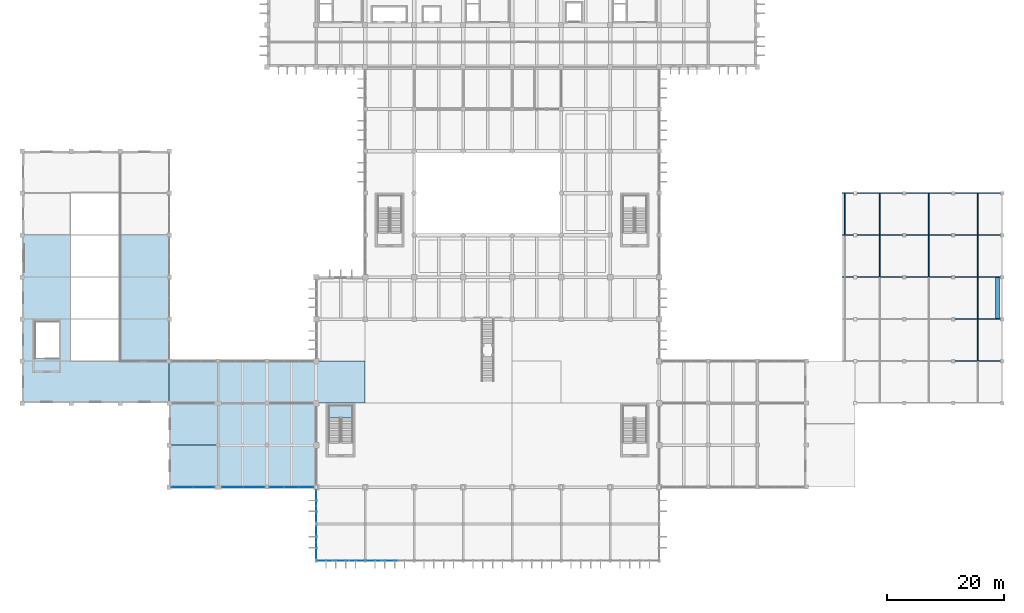
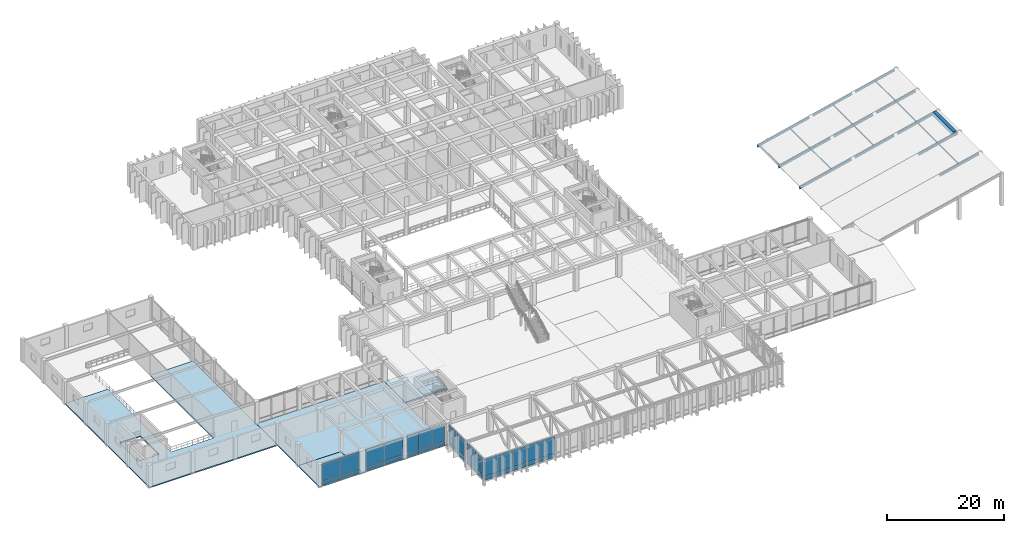
# One storey, part 26 of 51: 32 plates, 12 beams, 9 members, 5 slabs, 8 elements without a shape of their own.
"""IFC4 building model written with IfcOpenShell, lengths in metres."""

from ifc_helpers import new_model, si_unit, direction, frame, origin, origin_2d, place, context, subcontext, project, spatial, polyline, rectangle, i_section, outline, extrude, material, layer, layer_set, material_profile, profile_set, type_object, element, aggregate, save


model = new_model("IFC4")

# Units and contexts
model_context = context("Model", 3, precision=1e-05, world=origin(), true_north=direction((0.0, 1.0)))
body_context = subcontext(model_context, "Body", "Model", "MODEL_VIEW")
ifc_project = project(units=[si_unit("LENGTHUNIT", "METRE"), si_unit("AREAUNIT", "SQUARE_METRE"), si_unit("VOLUMEUNIT", "CUBIC_METRE"), si_unit("PLANEANGLEUNIT", "RADIAN"), si_unit("MASSUNIT", "GRAM", prefix="KILO")], contexts=[model_context])

# Site, building, storey
site_placement = place(None, origin())
site = spatial("IfcSite", under=ifc_project, at=site_placement, CompositionType="ELEMENT")
building_placement = place(site_placement, origin())
building = spatial("IfcBuilding", under=site, at=building_placement, Name="Kenerak Square Central Library", CompositionType="ELEMENT")
storey_placement = place(building_placement, frame((0.0, 0.0, 9.60009765625)))
storey = spatial("IfcBuildingStorey", under=building, at=storey_placement, Name="L02", CompositionType="ELEMENT", Elevation=9.60009765625)

# Beam
ifc_material_1 = material(Name="Concrete C45/55", Category="concrete")
ifc_material_profile_1 = material_profile(ifc_material_1, rectangle(XDim=0.64990234375, YDim=0.949951171875, at=origin_2d()), Name="RC 650x950")
ifc_profile_set_1 = profile_set([ifc_material_profile_1], Name="Concrete C45/55")
beam_type_1 = type_object("IfcBeamType", Name="Book Stack Girder B-02 RC 650x950 C45/55", PredefinedType="BEAM", material=ifc_profile_set_1)
beam_1_placement = place(storey_placement, frame((175.199951171875, 45.699951171875, 6.304931640625), z_axis=(0.0, 1.0, 0.0), x_axis=(-1.0, 0.0, 0.0)))
element("IfcBeam", 1, at=beam_1_placement, inside=storey, type_object=beam_type_1, Name="Pavilion Ridge Support Beam B-02", PredefinedType="BEAM", context=body_context, shape_type="SweptSolid", body=[
    extrude(rectangle(XDim=0.64990234375, YDim=0.949951171875, at=origin_2d()), origin(), (0.0, 0.0, 1.0), 7.0),
])

# Member
ifc_material_2 = material(Name="Steel S355", Category="steel")
ifc_material_profile_2 = material_profile(ifc_material_2, i_section(OverallWidth=0.10009765625, OverallDepth=0.199951171875, WebThickness=0.005615234375, FlangeThickness=0.008544921875, FilletRadius=0.011962890625, at=origin_2d()), Name="IPE 200")
ifc_profile_set_2 = profile_set([ifc_material_profile_2], Name="Steel S355")
member_type_1 = type_object("IfcMemberType", Name="Eave Steel Purlin PR-02 IPE 200 S355", PredefinedType="PURLIN", material=ifc_profile_set_2)
member_placement = place(storey_placement, frame((149.0, 60.0, 0.17626953125), z_axis=(0.0, 1.0, 0.0), x_axis=(-1.0, 0.0, 0.0)))
element("IfcMember", 2, at=member_placement, inside=storey, type_object=member_type_1, Name="Monsoon Eave Purlin PR-02 04", PredefinedType="PURLIN", context=body_context, shape_type="SweptSolid", body=[
    extrude(i_section(OverallWidth=0.10009765625, OverallDepth=0.199951171875, WebThickness=0.005615234375, FlangeThickness=0.008544921875, FilletRadius=0.011962890625, at=origin_2d()), origin(), (0.0, 0.0, 1.0), 7.199951171875),
])

# Beams
ifc_material_profile_3 = material_profile(ifc_material_2, i_section(OverallWidth=0.18994140625, OverallDepth=0.449951171875, WebThickness=0.009521484375, FlangeThickness=0.0146484375, FilletRadius=0.02099609375, at=origin_2d()), Name="IPE 450")
ifc_profile_set_3 = profile_set([ifc_material_profile_3], Name="Steel S355")
beam_type_2 = type_object("IfcBeamType", Name="Pavilion Roof Rafter SB-08 IPE 450 S355", PredefinedType="BEAM", material=ifc_profile_set_3)
for number, where, z_axis, x_axis, name in (
    (3, (167.89990234375, 38.39990234375, 4.561279296875), (0.972805561276, 0.0, 0.231623271609), (0.0, 1.0, 0.0), "Pavilion Roof Rafter SB-08 2-3"),
    (4, (167.89990234375, 45.60009765625, 4.561279296875), (0.972805561276, 0.0, 0.231623271609), (0.0, 1.0, 0.0), "Pavilion Roof Rafter SB-08 3-3"),
):
    element("IfcBeam", number, at=place(storey_placement, frame(where, z_axis=z_axis, x_axis=x_axis)), inside=storey, type_object=beam_type_2, Name=name, PredefinedType="BEAM", context=body_context, shape_type="SweptSolid", body=[
        extrude(i_section(OverallWidth=0.18994140625, OverallDepth=0.449951171875, WebThickness=0.009521484375, FlangeThickness=0.0146484375, FilletRadius=0.02099609375, at=origin_2d()), origin(), (0.0, 0.0, 1.0), 8.01806640625),
    ])
beam_2_placement = place(storey_placement, frame((148.60009765625, 52.800048828125, -0.033935546875), z_axis=(0.972804977611, 0.0, 0.231625722957), x_axis=(0.0, 1.0, 0.0)))
element("IfcBeam", 5, at=beam_2_placement, inside=storey, type_object=beam_type_2, Name="Pavilion Roof Rafter SB-08 4-1", PredefinedType="BEAM", context=body_context, shape_type="SweptSolid", body=[
    extrude(i_section(OverallWidth=0.18994140625, OverallDepth=0.449951171875, WebThickness=0.009521484375, FlangeThickness=0.0146484375, FilletRadius=0.02099609375, at=origin_2d()), origin(), (0.0, 0.0, 1.0), 10.587646484375),
])
for number, where, z_axis, x_axis, name in (
    (6, (159.5, 52.800048828125, 2.561279296875), (0.972805561276, 0.0, 0.231623271609), (0.0, 1.0, 0.0), "Pavilion Roof Rafter SB-08 4-2"),
    (7, (167.89990234375, 52.800048828125, 4.561279296875), (0.972805561276, 0.0, 0.231623271609), (0.0, 1.0, 0.0), "Pavilion Roof Rafter SB-08 4-3"),
):
    element("IfcBeam", number, at=place(storey_placement, frame(where, z_axis=z_axis, x_axis=x_axis)), inside=storey, type_object=beam_type_2, Name=name, PredefinedType="BEAM", context=body_context, shape_type="SweptSolid", body=[
        extrude(i_section(OverallWidth=0.18994140625, OverallDepth=0.449951171875, WebThickness=0.009521484375, FlangeThickness=0.0146484375, FilletRadius=0.02099609375, at=origin_2d()), origin(), (0.0, 0.0, 1.0), 8.01806640625),
    ])
beam_3_placement = place(storey_placement, frame((148.60009765625, 60.0, -0.033935546875), z_axis=(0.972804977611, 0.0, 0.231625722957), x_axis=(0.0, 1.0, 0.0)))
element("IfcBeam", 8, at=beam_3_placement, inside=storey, type_object=beam_type_2, Name="Pavilion Roof Rafter SB-08 5-1", PredefinedType="BEAM", context=body_context, shape_type="SweptSolid", body=[
    extrude(i_section(OverallWidth=0.18994140625, OverallDepth=0.449951171875, WebThickness=0.009521484375, FlangeThickness=0.0146484375, FilletRadius=0.02099609375, at=origin_2d()), origin(), (0.0, 0.0, 1.0), 10.587646484375),
])
for number, where, z_axis, x_axis, name in (
    (9, (159.5, 60.0, 2.561279296875), (0.972805561276, 0.0, 0.231623271609), (0.0, 1.0, 0.0), "Pavilion Roof Rafter SB-08 5-2"),
    (10, (167.89990234375, 60.0, 4.561279296875), (0.972805561276, 0.0, 0.231623271609), (0.0, 1.0, 0.0), "Pavilion Roof Rafter SB-08 5-3"),
):
    element("IfcBeam", number, at=place(storey_placement, frame(where, z_axis=z_axis, x_axis=x_axis)), inside=storey, type_object=beam_type_2, Name=name, PredefinedType="BEAM", context=body_context, shape_type="SweptSolid", body=[
        extrude(i_section(OverallWidth=0.18994140625, OverallDepth=0.449951171875, WebThickness=0.009521484375, FlangeThickness=0.0146484375, FilletRadius=0.02099609375, at=origin_2d()), origin(), (0.0, 0.0, 1.0), 8.01806640625),
    ])
beam_4_placement = place(storey_placement, frame((148.60009765625, 67.199951171875, -0.033935546875), z_axis=(0.972804977611, 0.0, 0.231625722957), x_axis=(0.0, 1.0, 0.0)))
element("IfcBeam", 11, at=beam_4_placement, inside=storey, type_object=beam_type_2, Name="Pavilion Roof Rafter SB-08 6-1", PredefinedType="BEAM", context=body_context, shape_type="SweptSolid", body=[
    extrude(i_section(OverallWidth=0.18994140625, OverallDepth=0.449951171875, WebThickness=0.009521484375, FlangeThickness=0.0146484375, FilletRadius=0.02099609375, at=origin_2d()), origin(), (0.0, 0.0, 1.0), 10.587646484375),
])
for number, where, z_axis, x_axis, name in (
    (12, (159.5, 67.199951171875, 2.561279296875), (0.972805561276, 0.0, 0.231623271609), (0.0, 1.0, 0.0), "Pavilion Roof Rafter SB-08 6-2"),
    (13, (167.89990234375, 67.199951171875, 4.561279296875), (0.972805561276, 0.0, 0.231623271609), (0.0, 1.0, 0.0), "Pavilion Roof Rafter SB-08 6-3"),
):
    element("IfcBeam", number, at=place(storey_placement, frame(where, z_axis=z_axis, x_axis=x_axis)), inside=storey, type_object=beam_type_2, Name=name, PredefinedType="BEAM", context=body_context, shape_type="SweptSolid", body=[
        extrude(i_section(OverallWidth=0.18994140625, OverallDepth=0.449951171875, WebThickness=0.009521484375, FlangeThickness=0.0146484375, FilletRadius=0.02099609375, at=origin_2d()), origin(), (0.0, 0.0, 1.0), 8.01806640625),
    ])

# Members
ifc_material_profile_4 = material_profile(ifc_material_2, i_section(OverallWidth=0.1201171875, OverallDepth=0.239990234375, WebThickness=0.006103515625, FlangeThickness=0.009765625, FilletRadius=0.014892578125, at=origin_2d()), Name="IPE 240")
ifc_profile_set_4 = profile_set([ifc_material_profile_4], Name="Steel S355")
member_type_2 = type_object("IfcMemberType", Name="Roof Steel Purlin PR-01 IPE 240 S355", PredefinedType="PURLIN", material=ifc_profile_set_4)
for number, where, z_axis, x_axis, name in (
    (14, (171.800048828125, 38.449951171875, 5.56982421875), (0.0, 1.0, 0.0), (-1.0, 0.0, 0.0), "Pavilion Roof Purlin PR-01 0219"),
    (15, (171.800048828125, 45.64990234375, 5.56982421875), (0.0, 1.0, 0.0), (-1.0, 0.0, 0.0), "Pavilion Roof Purlin PR-01 0222"),
):
    element("IfcMember", number, at=place(storey_placement, frame(where, z_axis=z_axis, x_axis=x_axis)), inside=storey, type_object=member_type_2, Name=name, PredefinedType="PURLIN", context=body_context, shape_type="SweptSolid", body=[
        extrude(i_section(OverallWidth=0.1201171875, OverallDepth=0.239990234375, WebThickness=0.006103515625, FlangeThickness=0.009765625, FilletRadius=0.014892578125, at=origin_2d()), origin(), (0.0, 0.0, 1.0), 7.10009765625),
    ])
for number, where, z_axis, x_axis, name in (
    (16, (155.0, 52.85009765625, 1.56982421875), (0.0, 1.0, 0.0), (-1.0, 0.0, 0.0), "Pavilion Roof Purlin PR-01 0223"),
    (17, (163.39990234375, 52.85009765625, 3.56982421875), (0.0, 1.0, 0.0), (-1.0, 0.0, 0.0), "Pavilion Roof Purlin PR-01 0224"),
    (18, (171.800048828125, 52.85009765625, 5.56982421875), (0.0, 1.0, 0.0), (-1.0, 0.0, 0.0), "Pavilion Roof Purlin PR-01 0225"),
    (19, (155.0, 60.050048828125, 1.56982421875), (0.0, 1.0, 0.0), (-1.0, 0.0, 0.0), "Pavilion Roof Purlin PR-01 0226"),
    (20, (163.39990234375, 60.050048828125, 3.56982421875), (0.0, 1.0, 0.0), (-1.0, 0.0, 0.0), "Pavilion Roof Purlin PR-01 0227"),
    (21, (171.800048828125, 60.050048828125, 5.56982421875), (0.0, 1.0, 0.0), (-1.0, 0.0, 0.0), "Pavilion Roof Purlin PR-01 0228"),
):
    element("IfcMember", number, at=place(storey_placement, frame(where, z_axis=z_axis, x_axis=x_axis)), inside=storey, type_object=member_type_2, Name=name, PredefinedType="PURLIN", context=body_context, shape_type="SweptSolid", body=[
        extrude(i_section(OverallWidth=0.1201171875, OverallDepth=0.239990234375, WebThickness=0.006103515625, FlangeThickness=0.009765625, FilletRadius=0.014892578125, at=origin_2d()), origin(), (0.0, 0.0, 1.0), 7.099853515625),
    ])

# Slabs
ifc_material_3 = material(Name="Concrete C40/50", Category="concrete")
ifc_layer_1 = layer(ifc_material_3, 0.25)
ifc_layer_set_1 = layer_set([ifc_layer_1], Name="Concrete C40/50")
slab_type_1 = type_object("IfcSlabType", Name="Auditorium and Foyer Concourse Slab FS-250 C40/50", PredefinedType="FLOOR", material=ifc_layer_set_1)
slab_1_placement = place(storey_placement, frame((0.0, 0.0, -0.25)))
element("IfcSlab", 22, at=slab_1_placement, inside=storey, type_object=slab_type_1, Name="V3 Floor Slab L02 034", PredefinedType="FLOOR", context=body_context, shape_type="SweptSolid", body=[
    extrude(outline(polyline([(8.0, 60.0), (16.39990234375, 60.0), (16.39990234375, 38.39990234375), (24.800048828125, 38.39990234375), (24.800048828125, 60.0), (33.199951171875, 60.0), (33.199951171875, 31.199951171875), (8.0, 31.199951171875), (8.0, 60.0)]), holes=[polyline([(14.280029296875, 38.85009765625), (14.280029296875, 45.199951171875), (10.1201171875, 45.199951171875), (10.1201171875, 38.85009765625), (14.280029296875, 38.85009765625)])]), origin(), (0.0, 0.0, 1.0), 0.25),
])
ifc_layer_2 = layer(ifc_material_3, 0.300048828125)
ifc_layer_set_2 = layer_set([ifc_layer_2], Name="Concrete C40/50")
slab_type_2 = type_object("IfcSlabType", Name="Compact-Shelving Vault Slab FS-300 C40/50", PredefinedType="FLOOR", material=ifc_layer_set_2)
slab_2_placement = place(storey_placement, frame((0.0, 0.0, -0.300048828125)))
element("IfcSlab", 23, at=slab_2_placement, inside=storey, type_object=slab_type_2, Name="V1 Floor Slab L02 015", PredefinedType="FLOOR", context=body_context, shape_type="SweptSolid", body=[
    extrude(outline(polyline([(66.800048828125, 31.199951171875), (66.800048828125, 38.39990234375), (58.39990234375, 38.39990234375), (58.39990234375, 31.199951171875), (66.800048828125, 31.199951171875)])), origin(), (0.0, 0.0, 1.0), 0.300048828125),
])
ifc_layer_3 = layer(ifc_material_3, 0.22509765625)
ifc_layer_set_3 = layer_set([ifc_layer_3], Name="Concrete C40/50")
slab_type_3 = type_object("IfcSlabType", Name="General Reading Room Slab FS-225 C40/50", PredefinedType="FLOOR", material=ifc_layer_set_3)
slab_3_placement = place(storey_placement, frame((0.0, 0.0, -0.22509765625)))
element("IfcSlab", 24, at=slab_3_placement, inside=storey, type_object=slab_type_3, Name="V6 Floor Slab L02 105", PredefinedType="FLOOR", context=body_context, shape_type="SweptSolid", body=[
    extrude(outline(polyline([(33.199951171875, 38.39990234375), (58.39990234375, 38.39990234375), (58.39990234375, 16.800048828125), (41.60009765625, 16.800048828125), (41.60009765625, 24.0), (33.199951171875, 24.0), (33.199951171875, 38.39990234375)])), origin(), (0.0, 0.0, 1.0), 0.22509765625),
])
slab_4_placement = place(storey_placement, frame((0.0, 0.0, -0.22509765625)))
element("IfcSlab", 25, at=slab_4_placement, inside=storey, type_object=slab_type_3, Name="V6 Floor Slab L02 106", PredefinedType="FLOOR", context=body_context, shape_type="SweptSolid", body=[
    extrude(outline(polyline([(41.60009765625, 16.800048828125), (41.60009765625, 24.0), (33.199951171875, 24.0), (33.199951171875, 16.800048828125), (41.60009765625, 16.800048828125)])), origin(), (0.0, 0.0, 1.0), 0.22509765625),
])

# Curtain wall, plates
ifc_material_4 = material(Name="Anodised aluminium and solar-control low-E glazing", Category="aluminium")
curtain_wall_type_1 = type_object("IfcCurtainWallType", Name="Curtain Wall CW-V6-76x45 7600x4550", PredefinedType="USERDEFINED", material=ifc_material_4)
curtain_wall_1_placement = place(storey_placement, origin())
curtain_wall_1 = element("IfcCurtainWall", 26, at=curtain_wall_1_placement, inside=storey, type_object=curtain_wall_type_1, Name="Curtain Wall CW-V6-76x45 L02 0106", ObjectType="CURTAIN WALL", PredefinedType="USERDEFINED")
ifc_material_5 = material(Name="Solar-control low-E laminated double glazing", Category="glass")
ifc_layer_4 = layer(ifc_material_5, 0.02392578125)
ifc_layer_set_4 = layer_set([ifc_layer_4], Name="Solar-control low-E laminated double glazing")
plate_type_1 = type_object("IfcPlateType", Name="Low-E Double Glazed Curtain Panel CP-24", PredefinedType="CURTAIN_PANEL", material=ifc_layer_set_4)
plate_1_placement = place(storey_placement, frame((56.6669921875, 16.800048828125, 0.06494140625), z_axis=(0.0, 0.0, 1.0), x_axis=(-1.0, 0.0, 0.0)))
plate_1 = element("IfcPlate", 27, at=plate_1_placement, type_object=plate_type_1, Name="CW-V6-76x45 Panel 1.1", PredefinedType="CURTAIN_PANEL", context=body_context, shape_type="SweptSolid", body=[
    extrude(rectangle(XDim=2.435791015625, YDim=0.02392578125, at=origin_2d()), origin(), (0.0, 0.0, 1.0), 0.802490234375),
])
plate_2_placement = place(storey_placement, frame((56.6669921875, 16.800048828125, 0.9326171875), z_axis=(0.0, 0.0, 1.0), x_axis=(-1.0, 0.0, 0.0)))
plate_2 = element("IfcPlate", 28, at=plate_2_placement, type_object=plate_type_1, Name="CW-V6-76x45 Panel 1.2", PredefinedType="CURTAIN_PANEL", context=body_context, shape_type="SweptSolid", body=[
    extrude(rectangle(XDim=2.435791015625, YDim=0.02392578125, at=origin_2d()), origin(), (0.0, 0.0, 1.0), 3.552490234375),
])
plate_3_placement = place(storey_placement, frame((54.14990234375, 16.800048828125, 0.06494140625), z_axis=(0.0, 0.0, 1.0), x_axis=(-1.0, 0.0, 0.0)))
plate_3 = element("IfcPlate", 29, at=plate_3_placement, type_object=plate_type_1, Name="CW-V6-76x45 Panel 2.1", PredefinedType="CURTAIN_PANEL", context=body_context, shape_type="SweptSolid", body=[
    extrude(rectangle(XDim=2.46826171875, YDim=0.02392578125, at=origin_2d()), origin(), (0.0, 0.0, 1.0), 0.802490234375),
])
plate_4_placement = place(storey_placement, frame((54.14990234375, 16.800048828125, 0.9326171875), z_axis=(0.0, 0.0, 1.0), x_axis=(-1.0, 0.0, 0.0)))
plate_4 = element("IfcPlate", 30, at=plate_4_placement, type_object=plate_type_1, Name="CW-V6-76x45 Panel 2.2", PredefinedType="CURTAIN_PANEL", context=body_context, shape_type="SweptSolid", body=[
    extrude(rectangle(XDim=2.46826171875, YDim=0.02392578125, at=origin_2d()), origin(), (0.0, 0.0, 1.0), 3.552490234375),
])
plate_5_placement = place(storey_placement, frame((51.6328125, 16.800048828125, 0.06494140625), z_axis=(0.0, 0.0, 1.0), x_axis=(-1.0, 0.0, 0.0)))
plate_5 = element("IfcPlate", 31, at=plate_5_placement, type_object=plate_type_1, Name="CW-V6-76x45 Panel 3.1", PredefinedType="CURTAIN_PANEL", context=body_context, shape_type="SweptSolid", body=[
    extrude(rectangle(XDim=2.435791015625, YDim=0.02392578125, at=origin_2d()), origin(), (0.0, 0.0, 1.0), 0.802490234375),
])
plate_6_placement = place(storey_placement, frame((51.6328125, 16.800048828125, 0.9326171875), z_axis=(0.0, 0.0, 1.0), x_axis=(-1.0, 0.0, 0.0)))
plate_6 = element("IfcPlate", 32, at=plate_6_placement, type_object=plate_type_1, Name="CW-V6-76x45 Panel 3.2", PredefinedType="CURTAIN_PANEL", context=body_context, shape_type="SweptSolid", body=[
    extrude(rectangle(XDim=2.435791015625, YDim=0.02392578125, at=origin_2d()), origin(), (0.0, 0.0, 1.0), 3.552490234375),
])
aggregate(curtain_wall_1, [plate_1, plate_2, plate_3, plate_4, plate_5, plate_6])

curtain_wall_type_2 = type_object("IfcCurtainWallType", Name="Curtain Wall CW-V6-74x45 7450x4550", PredefinedType="USERDEFINED", material=ifc_material_4)
curtain_wall_2_placement = place(storey_placement, origin())
curtain_wall_2 = element("IfcCurtainWall", 33, at=curtain_wall_2_placement, inside=storey, type_object=curtain_wall_type_2, Name="Curtain Wall CW-V6-74x45 L02 0107", ObjectType="CURTAIN WALL", PredefinedType="USERDEFINED")
plate_7_placement = place(storey_placement, frame((47.771240234375, 16.800048828125, 0.06494140625), z_axis=(0.0, 0.0, 1.0), x_axis=(-1.0, 0.0, 0.0)))
plate_7 = element("IfcPlate", 34, at=plate_7_placement, type_object=plate_type_1, Name="CW-V6-74x45 Panel 1.1", PredefinedType="CURTAIN_PANEL", context=body_context, shape_type="SweptSolid", body=[
    extrude(rectangle(XDim=3.62744140625, YDim=0.02392578125, at=origin_2d()), origin(), (0.0, 0.0, 1.0), 0.802490234375),
])
plate_8_placement = place(storey_placement, frame((47.771240234375, 16.800048828125, 0.9326171875), z_axis=(0.0, 0.0, 1.0), x_axis=(-1.0, 0.0, 0.0)))
plate_8 = element("IfcPlate", 35, at=plate_8_placement, type_object=plate_type_1, Name="CW-V6-74x45 Panel 1.2", PredefinedType="CURTAIN_PANEL", context=body_context, shape_type="SweptSolid", body=[
    extrude(rectangle(XDim=3.62744140625, YDim=0.02392578125, at=origin_2d()), origin(), (0.0, 0.0, 1.0), 3.552490234375),
])
plate_9_placement = place(storey_placement, frame((44.078857421875, 16.800048828125, 0.06494140625), z_axis=(0.0, 0.0, 1.0), x_axis=(-1.0, 0.0, 0.0)))
plate_9 = element("IfcPlate", 36, at=plate_9_placement, type_object=plate_type_1, Name="CW-V6-74x45 Panel 2.1", PredefinedType="CURTAIN_PANEL", context=body_context, shape_type="SweptSolid", body=[
    extrude(rectangle(XDim=3.62744140625, YDim=0.02392578125, at=origin_2d()), origin(), (0.0, 0.0, 1.0), 0.802490234375),
])
plate_10_placement = place(storey_placement, frame((44.078857421875, 16.800048828125, 0.9326171875), z_axis=(0.0, 0.0, 1.0), x_axis=(-1.0, 0.0, 0.0)))
plate_10 = element("IfcPlate", 37, at=plate_10_placement, type_object=plate_type_1, Name="CW-V6-74x45 Panel 2.2", PredefinedType="CURTAIN_PANEL", context=body_context, shape_type="SweptSolid", body=[
    extrude(rectangle(XDim=3.62744140625, YDim=0.02392578125, at=origin_2d()), origin(), (0.0, 0.0, 1.0), 3.552490234375),
])
aggregate(curtain_wall_2, [plate_7, plate_8, plate_9, plate_10])

curtain_wall_type_3 = type_object("IfcCurtainWallType", Name="Curtain Wall CW-V6-74x45 7425x4550", PredefinedType="USERDEFINED", material=ifc_material_4)
curtain_wall_3_placement = place(storey_placement, origin())
curtain_wall_3 = element("IfcCurtainWall", 38, at=curtain_wall_3_placement, inside=storey, type_object=curtain_wall_type_3, Name="Curtain Wall CW-V6-74x45 L02 0108", ObjectType="CURTAIN WALL", PredefinedType="USERDEFINED")
plate_11_placement = place(storey_placement, frame((39.12744140625, 16.800048828125, 0.06494140625), z_axis=(0.0, 0.0, 1.0), x_axis=(-1.0, 0.0, 0.0)))
plate_11 = element("IfcPlate", 39, at=plate_11_placement, type_object=plate_type_1, Name="CW-V6-74x45 Panel 1.1", PredefinedType="CURTAIN_PANEL", context=body_context, shape_type="SweptSolid", body=[
    extrude(rectangle(XDim=3.614990234375, YDim=0.02392578125, at=origin_2d()), origin(), (0.0, 0.0, 1.0), 0.802490234375),
])
plate_12_placement = place(storey_placement, frame((39.12744140625, 16.800048828125, 0.9326171875), z_axis=(0.0, 0.0, 1.0), x_axis=(-1.0, 0.0, 0.0)))
plate_12 = element("IfcPlate", 40, at=plate_12_placement, type_object=plate_type_1, Name="CW-V6-74x45 Panel 1.2", PredefinedType="CURTAIN_PANEL", context=body_context, shape_type="SweptSolid", body=[
    extrude(rectangle(XDim=3.614990234375, YDim=0.02392578125, at=origin_2d()), origin(), (0.0, 0.0, 1.0), 3.552490234375),
])
plate_13_placement = place(storey_placement, frame((35.447509765625, 16.800048828125, 0.06494140625), z_axis=(0.0, 0.0, 1.0), x_axis=(-1.0, 0.0, 0.0)))
plate_13 = element("IfcPlate", 41, at=plate_13_placement, type_object=plate_type_1, Name="CW-V6-74x45 Panel 2.1", PredefinedType="CURTAIN_PANEL", context=body_context, shape_type="SweptSolid", body=[
    extrude(rectangle(XDim=3.614990234375, YDim=0.02392578125, at=origin_2d()), origin(), (0.0, 0.0, 1.0), 0.802490234375),
])
plate_14_placement = place(storey_placement, frame((35.447509765625, 16.800048828125, 0.9326171875), z_axis=(0.0, 0.0, 1.0), x_axis=(-1.0, 0.0, 0.0)))
plate_14 = element("IfcPlate", 42, at=plate_14_placement, type_object=plate_type_1, Name="CW-V6-74x45 Panel 2.2", PredefinedType="CURTAIN_PANEL", context=body_context, shape_type="SweptSolid", body=[
    extrude(rectangle(XDim=3.614990234375, YDim=0.02392578125, at=origin_2d()), origin(), (0.0, 0.0, 1.0), 3.552490234375),
])
aggregate(curtain_wall_3, [plate_11, plate_12, plate_13, plate_14])

# Stair, slab
stair_type = type_object("IfcStairType", Name="Exit Dogleg Stair ST-480 C40/50", PredefinedType="HALF_TURN_STAIR", material=ifc_material_3)
stair_placement = place(storey_placement, origin())
stair = element("IfcStair", 43, at=stair_placement, inside=storey, type_object=stair_type, Name="L02 Protected Exit Stair ST-04", PredefinedType="HALF_TURN_STAIR")
ifc_layer_5 = layer(ifc_material_3, 0.199951171875)
ifc_layer_set_5 = layer_set([ifc_layer_5], Name="Concrete C40/50")
slab_type_4 = type_object("IfcSlabType", Name="Stair Half-Landing Slab LD-200 C40/50", PredefinedType="LANDING", material=ifc_layer_set_5)
slab_5_placement = place(storey_placement, frame((0.0, 0.0, 2.199951171875)))
slab_5 = element("IfcSlab", 44, at=slab_5_placement, type_object=slab_type_4, Name="ST-04 Landing 1", PredefinedType="LANDING", context=body_context, shape_type="SweptSolid", body=[
    extrude(outline(polyline([(64.679931640625, 28.64990234375), (64.679931640625, 30.800048828125), (60.52001953125, 30.800048828125), (60.52001953125, 28.64990234375), (64.679931640625, 28.64990234375)])), origin(), (0.0, 0.0, 1.0), 0.199951171875),
])
aggregate(stair, [slab_5])

# Curtain wall, plates
curtain_wall_type_4 = type_object("IfcCurtainWallType", Name="Curtain Wall CW-V1-84x45 8400x4550", PredefinedType="USERDEFINED", material=ifc_material_4)
curtain_wall_4_placement = place(storey_placement, origin())
curtain_wall_4 = element("IfcCurtainWall", 45, at=curtain_wall_4_placement, inside=storey, type_object=curtain_wall_type_4, Name="Curtain Wall CW-V1-84x45 L02 0102", ObjectType="CURTAIN WALL", PredefinedType="USERDEFINED")
ifc_material_6 = material(Name="Triple-laminated solar-control low-E glazing", Category="glass")
ifc_layer_6 = layer(ifc_material_6, 0.031982421875)
ifc_layer_set_6 = layer_set([ifc_layer_6], Name="Triple-laminated solar-control low-E glazing")
plate_type_2 = type_object("IfcPlateType", Name="Triple-Laminated Reading Hall Panel CP-32", PredefinedType="CURTAIN_PANEL", material=ifc_layer_set_6)
plate_15_placement = place(storey_placement, frame((71.0, 4.199951171875, 0.074951171875), z_axis=(0.0, 0.0, 1.0), x_axis=(-1.0, 0.0, 0.0)))
plate_15 = element("IfcPlate", 46, at=plate_15_placement, type_object=plate_type_2, Name="CW-V1-84x45 Panel 2.1", PredefinedType="CURTAIN_PANEL", context=body_context, shape_type="SweptSolid", body=[
    extrude(rectangle(XDim=2.72509765625, YDim=0.031982421875, at=origin_2d()), origin(), (0.0, 0.0, 1.0), 0.78759765625),
])
plate_16_placement = place(storey_placement, frame((71.0, 4.199951171875, 0.937255859375), z_axis=(0.0, 0.0, 1.0), x_axis=(-1.0, 0.0, 0.0)))
plate_16 = element("IfcPlate", 47, at=plate_16_placement, type_object=plate_type_2, Name="CW-V1-84x45 Panel 2.2", PredefinedType="CURTAIN_PANEL", context=body_context, shape_type="SweptSolid", body=[
    extrude(rectangle(XDim=2.72509765625, YDim=0.031982421875, at=origin_2d()), origin(), (0.0, 0.0, 1.0), 3.53759765625),
])
plate_17_placement = place(storey_placement, frame((68.21875, 4.199951171875, 0.074951171875), z_axis=(0.0, 0.0, 1.0), x_axis=(-1.0, 0.0, 0.0)))
plate_17 = element("IfcPlate", 48, at=plate_17_placement, type_object=plate_type_2, Name="CW-V1-84x45 Panel 3.1", PredefinedType="CURTAIN_PANEL", context=body_context, shape_type="SweptSolid", body=[
    extrude(rectangle(XDim=2.6875, YDim=0.031982421875, at=origin_2d()), origin(), (0.0, 0.0, 1.0), 0.78759765625),
])
plate_18_placement = place(storey_placement, frame((68.21875, 4.199951171875, 0.937255859375), z_axis=(0.0, 0.0, 1.0), x_axis=(-1.0, 0.0, 0.0)))
plate_18 = element("IfcPlate", 49, at=plate_18_placement, type_object=plate_type_2, Name="CW-V1-84x45 Panel 3.2", PredefinedType="CURTAIN_PANEL", context=body_context, shape_type="SweptSolid", body=[
    extrude(rectangle(XDim=2.6875, YDim=0.031982421875, at=origin_2d()), origin(), (0.0, 0.0, 1.0), 3.53759765625),
])
aggregate(curtain_wall_4, [plate_15, plate_16, plate_17, plate_18])

curtain_wall_5_placement = place(storey_placement, origin())
curtain_wall_5 = element("IfcCurtainWall", 50, at=curtain_wall_5_placement, inside=storey, type_object=curtain_wall_type_4, Name="Curtain Wall CW-V1-84x45 L02 0103", ObjectType="CURTAIN WALL", PredefinedType="USERDEFINED")
plate_19_placement = place(storey_placement, frame((65.38134765625, 4.199951171875, 0.074951171875), z_axis=(0.0, 0.0, 1.0), x_axis=(-1.0, 0.0, 0.0)))
plate_19 = element("IfcPlate", 51, at=plate_19_placement, type_object=plate_type_2, Name="CW-V1-84x45 Panel 1.1", PredefinedType="CURTAIN_PANEL", context=body_context, shape_type="SweptSolid", body=[
    extrude(rectangle(XDim=2.6875, YDim=0.031982421875, at=origin_2d()), origin(), (0.0, 0.0, 1.0), 0.78759765625),
])
plate_20_placement = place(storey_placement, frame((65.38134765625, 4.199951171875, 0.937255859375), z_axis=(0.0, 0.0, 1.0), x_axis=(-1.0, 0.0, 0.0)))
plate_20 = element("IfcPlate", 52, at=plate_20_placement, type_object=plate_type_2, Name="CW-V1-84x45 Panel 1.2", PredefinedType="CURTAIN_PANEL", context=body_context, shape_type="SweptSolid", body=[
    extrude(rectangle(XDim=2.6875, YDim=0.031982421875, at=origin_2d()), origin(), (0.0, 0.0, 1.0), 3.53759765625),
])
plate_21_placement = place(storey_placement, frame((62.60009765625, 4.199951171875, 0.074951171875), z_axis=(0.0, 0.0, 1.0), x_axis=(-1.0, 0.0, 0.0)))
plate_21 = element("IfcPlate", 53, at=plate_21_placement, type_object=plate_type_2, Name="CW-V1-84x45 Panel 2.1", PredefinedType="CURTAIN_PANEL", context=body_context, shape_type="SweptSolid", body=[
    extrude(rectangle(XDim=2.72509765625, YDim=0.031982421875, at=origin_2d()), origin(), (0.0, 0.0, 1.0), 0.78759765625),
])
plate_22_placement = place(storey_placement, frame((62.60009765625, 4.199951171875, 0.937255859375), z_axis=(0.0, 0.0, 1.0), x_axis=(-1.0, 0.0, 0.0)))
plate_22 = element("IfcPlate", 54, at=plate_22_placement, type_object=plate_type_2, Name="CW-V1-84x45 Panel 2.2", PredefinedType="CURTAIN_PANEL", context=body_context, shape_type="SweptSolid", body=[
    extrude(rectangle(XDim=2.72509765625, YDim=0.031982421875, at=origin_2d()), origin(), (0.0, 0.0, 1.0), 3.53759765625),
])
plate_23_placement = place(storey_placement, frame((59.81884765625, 4.199951171875, 0.074951171875), z_axis=(0.0, 0.0, 1.0), x_axis=(-1.0, 0.0, 0.0)))
plate_23 = element("IfcPlate", 55, at=plate_23_placement, type_object=plate_type_2, Name="CW-V1-84x45 Panel 3.1", PredefinedType="CURTAIN_PANEL", context=body_context, shape_type="SweptSolid", body=[
    extrude(rectangle(XDim=2.6875, YDim=0.031982421875, at=origin_2d()), origin(), (0.0, 0.0, 1.0), 0.78759765625),
])
plate_24_placement = place(storey_placement, frame((59.81884765625, 4.199951171875, 0.937255859375), z_axis=(0.0, 0.0, 1.0), x_axis=(-1.0, 0.0, 0.0)))
plate_24 = element("IfcPlate", 56, at=plate_24_placement, type_object=plate_type_2, Name="CW-V1-84x45 Panel 3.2", PredefinedType="CURTAIN_PANEL", context=body_context, shape_type="SweptSolid", body=[
    extrude(rectangle(XDim=2.6875, YDim=0.031982421875, at=origin_2d()), origin(), (0.0, 0.0, 1.0), 3.53759765625),
])
aggregate(curtain_wall_5, [plate_19, plate_20, plate_21, plate_22, plate_23, plate_24])

curtain_wall_type_5 = type_object("IfcCurtainWallType", Name="Curtain Wall CW-V1-57x45 5700x4550", PredefinedType="USERDEFINED", material=ifc_material_4)
curtain_wall_6_placement = place(storey_placement, origin())
curtain_wall_6 = element("IfcCurtainWall", 57, at=curtain_wall_6_placement, inside=storey, type_object=curtain_wall_type_5, Name="Curtain Wall CW-V1-57x45 L02 0104", ObjectType="CURTAIN WALL", PredefinedType="USERDEFINED")
plate_25_placement = place(storey_placement, frame((58.39990234375, 5.94384765625, 0.074951171875), z_axis=(0.0, 0.0, 1.0), x_axis=(0.0, 1.0, 0.0)))
plate_25 = element("IfcPlate", 58, at=plate_25_placement, type_object=plate_type_2, Name="CW-V1-57x45 Panel 1.1", PredefinedType="CURTAIN_PANEL", context=body_context, shape_type="SweptSolid", body=[
    extrude(rectangle(XDim=2.737548828125, YDim=0.031982421875, at=origin_2d()), origin(), (0.0, 0.0, 1.0), 0.78759765625),
])
plate_26_placement = place(storey_placement, frame((58.39990234375, 5.94384765625, 0.937255859375), z_axis=(0.0, 0.0, 1.0), x_axis=(0.0, 1.0, 0.0)))
plate_26 = element("IfcPlate", 59, at=plate_26_placement, type_object=plate_type_2, Name="CW-V1-57x45 Panel 1.2", PredefinedType="CURTAIN_PANEL", context=body_context, shape_type="SweptSolid", body=[
    extrude(rectangle(XDim=2.737548828125, YDim=0.031982421875, at=origin_2d()), origin(), (0.0, 0.0, 1.0), 3.53759765625),
])
plate_27_placement = place(storey_placement, frame((58.39990234375, 8.75634765625, 0.074951171875), z_axis=(0.0, 0.0, 1.0), x_axis=(0.0, 1.0, 0.0)))
plate_27 = element("IfcPlate", 60, at=plate_27_placement, type_object=plate_type_2, Name="CW-V1-57x45 Panel 2.1", PredefinedType="CURTAIN_PANEL", context=body_context, shape_type="SweptSolid", body=[
    extrude(rectangle(XDim=2.737548828125, YDim=0.031982421875, at=origin_2d()), origin(), (0.0, 0.0, 1.0), 0.78759765625),
])
plate_28_placement = place(storey_placement, frame((58.39990234375, 8.75634765625, 0.937255859375), z_axis=(0.0, 0.0, 1.0), x_axis=(0.0, 1.0, 0.0)))
plate_28 = element("IfcPlate", 61, at=plate_28_placement, type_object=plate_type_2, Name="CW-V1-57x45 Panel 2.2", PredefinedType="CURTAIN_PANEL", context=body_context, shape_type="SweptSolid", body=[
    extrude(rectangle(XDim=2.737548828125, YDim=0.031982421875, at=origin_2d()), origin(), (0.0, 0.0, 1.0), 3.53759765625),
])
aggregate(curtain_wall_6, [plate_25, plate_26, plate_27, plate_28])

curtain_wall_type_6 = type_object("IfcCurtainWallType", Name="Curtain Wall CW-V1-55x45 5550x4550", PredefinedType="USERDEFINED", material=ifc_material_4)
curtain_wall_7_placement = place(storey_placement, origin())
curtain_wall_7 = element("IfcCurtainWall", 62, at=curtain_wall_7_placement, inside=storey, type_object=curtain_wall_type_6, Name="Curtain Wall CW-V1-55x45 L02 0105", ObjectType="CURTAIN WALL", PredefinedType="USERDEFINED")
plate_29_placement = place(storey_placement, frame((58.39990234375, 12.206298828125, 0.074951171875), z_axis=(0.0, 0.0, 1.0), x_axis=(0.0, 1.0, 0.0)))
plate_29 = element("IfcPlate", 63, at=plate_29_placement, type_object=plate_type_2, Name="CW-V1-55x45 Panel 1.1", PredefinedType="CURTAIN_PANEL", context=body_context, shape_type="SweptSolid", body=[
    extrude(rectangle(XDim=2.66259765625, YDim=0.031982421875, at=origin_2d()), origin(), (0.0, 0.0, 1.0), 0.78759765625),
])
plate_30_placement = place(storey_placement, frame((58.39990234375, 12.206298828125, 0.937255859375), z_axis=(0.0, 0.0, 1.0), x_axis=(0.0, 1.0, 0.0)))
plate_30 = element("IfcPlate", 64, at=plate_30_placement, type_object=plate_type_2, Name="CW-V1-55x45 Panel 1.2", PredefinedType="CURTAIN_PANEL", context=body_context, shape_type="SweptSolid", body=[
    extrude(rectangle(XDim=2.66259765625, YDim=0.031982421875, at=origin_2d()), origin(), (0.0, 0.0, 1.0), 3.53759765625),
])
plate_31_placement = place(storey_placement, frame((58.39990234375, 14.94384765625, 0.074951171875), z_axis=(0.0, 0.0, 1.0), x_axis=(0.0, 1.0, 0.0)))
plate_31 = element("IfcPlate", 65, at=plate_31_placement, type_object=plate_type_2, Name="CW-V1-55x45 Panel 2.1", PredefinedType="CURTAIN_PANEL", context=body_context, shape_type="SweptSolid", body=[
    extrude(rectangle(XDim=2.66259765625, YDim=0.031982421875, at=origin_2d()), origin(), (0.0, 0.0, 1.0), 0.78759765625),
])
plate_32_placement = place(storey_placement, frame((58.39990234375, 14.94384765625, 0.937255859375), z_axis=(0.0, 0.0, 1.0), x_axis=(0.0, 1.0, 0.0)))
plate_32 = element("IfcPlate", 66, at=plate_32_placement, type_object=plate_type_2, Name="CW-V1-55x45 Panel 2.2", PredefinedType="CURTAIN_PANEL", context=body_context, shape_type="SweptSolid", body=[
    extrude(rectangle(XDim=2.66259765625, YDim=0.031982421875, at=origin_2d()), origin(), (0.0, 0.0, 1.0), 3.53759765625),
])
aggregate(curtain_wall_7, [plate_29, plate_30, plate_31, plate_32])

save(model, "model.ifc")
